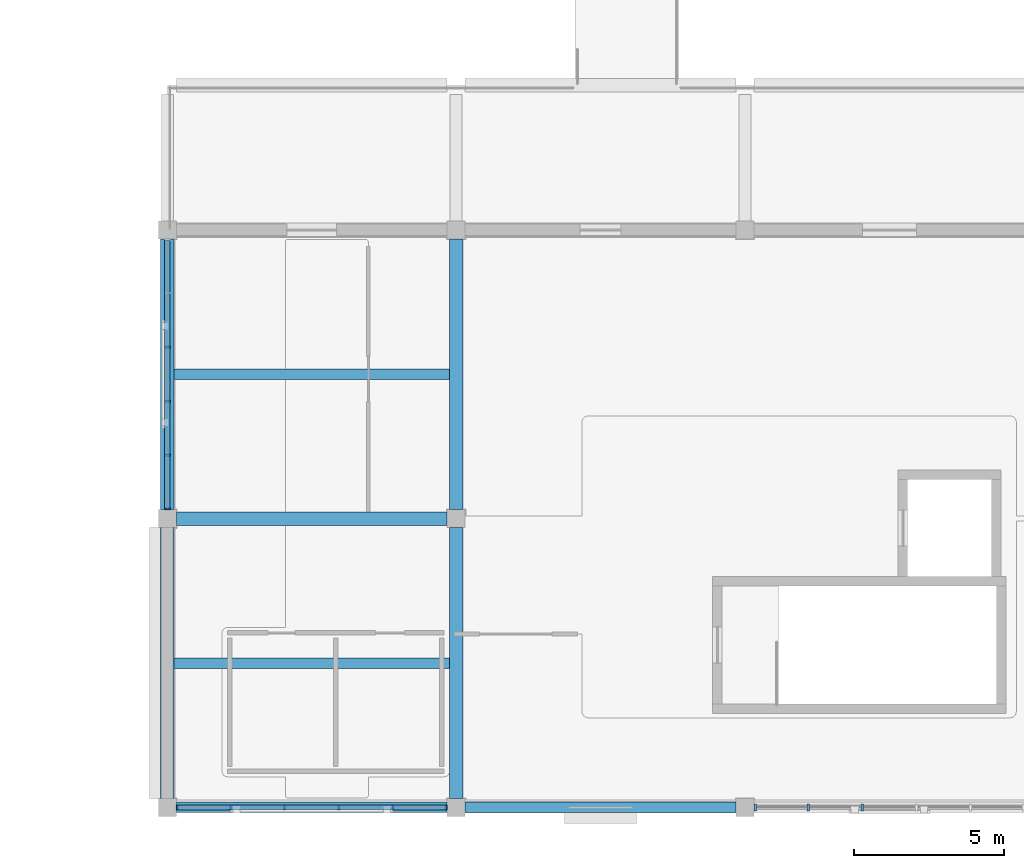
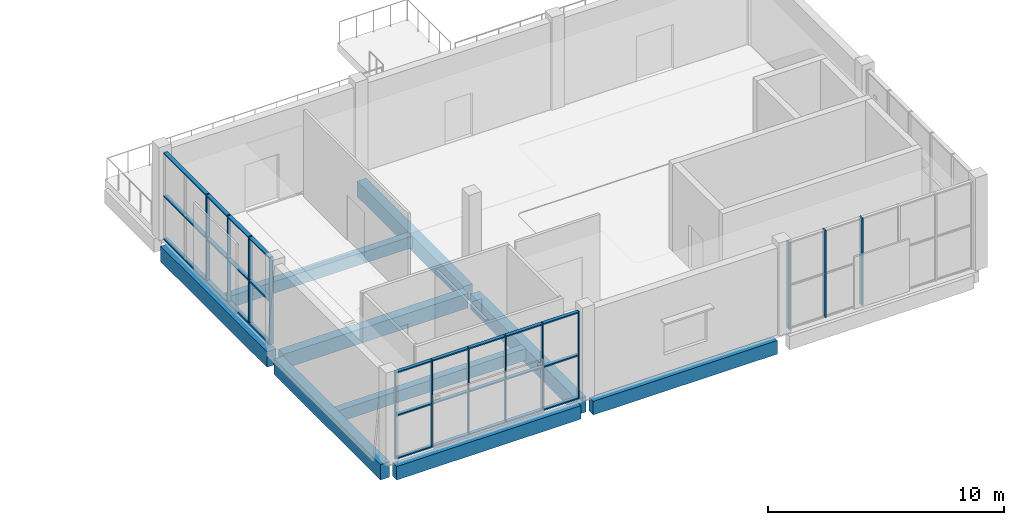
# One storey, part 2 of 37: 19 members, 9 beams, 3 elements without a shape of their own.
"""IFC4 building model written with IfcOpenShell, lengths in metres."""

from ifc_helpers import new_model, si_unit, direction, frame, origin, origin_2d, place, context, subcontext, project, spatial, rectangle, extrude, material, material_profile, profile_set, type_object, element, aggregate, save


model = new_model("IFC4")

# Units and contexts
model_context = context("Model", 3, precision=1e-05, world=origin(), true_north=direction((0.0, 1.0)))
body_context = subcontext(model_context, "Body", "Model", "MODEL_VIEW")
ifc_project = project(units=[si_unit("LENGTHUNIT", "METRE"), si_unit("AREAUNIT", "SQUARE_METRE"), si_unit("VOLUMEUNIT", "CUBIC_METRE"), si_unit("PLANEANGLEUNIT", "RADIAN"), si_unit("MASSUNIT", "GRAM", prefix="KILO")], contexts=[model_context])

# Site, building, storey
site_placement = place(None, origin())
site = spatial("IfcSite", under=ifc_project, at=site_placement, CompositionType="ELEMENT")
building_placement = place(site_placement, origin())
building = spatial("IfcBuilding", under=site, at=building_placement, Name="Shalvenor Court Art Gallery", CompositionType="ELEMENT")
storey_placement = place(building_placement, frame((0.0, 0.0, 22.199951171875)))
storey = spatial("IfcBuildingStorey", under=building, at=storey_placement, Name="L04", CompositionType="ELEMENT", Elevation=22.199951171875)

# Beams
ifc_material_1 = material(Name="Concrete C40/50", Category="concrete")
ifc_material_profile_1 = material_profile(ifc_material_1, rectangle(XDim=0.449951171875, YDim=0.800048828125, at=origin_2d()), Name="RC 450x800")
ifc_profile_set_1 = profile_set([ifc_material_profile_1], Name="Concrete C40/50")
beam_type_1 = type_object("IfcBeamType", Name="B-03", PredefinedType="BEAM", material=ifc_profile_set_1)
for number, where, z_axis, x_axis, name in (
    (1, (96.0, 0.300048828125, -0.699951171875), (0.0, 1.0, 0.0), (-1.0, 0.0, 0.0), "L04 Girder BM-L04-B-03-1168"),
    (2, (96.0, 9.89990234375, -0.699951171875), (0.0, 1.0, 0.0), (-1.0, 0.0, 0.0), "L04 Girder BM-L04-B-03-1169"),
    (3, (105.60009765625, 0.300048828125, -0.699951171875), (0.0, 1.0, 0.0), (-1.0, 0.0, 0.0), "L04 Girder BM-L04-B-03-1171"),
    (4, (105.60009765625, 9.89990234375, -0.699951171875), (0.0, 1.0, 0.0), (-1.0, 0.0, 0.0), "L04 Girder BM-L04-B-03-1172"),
):
    element("IfcBeam", number, at=place(storey_placement, frame(where, z_axis=z_axis, x_axis=x_axis)), inside=storey, type_object=beam_type_1, Name=name, PredefinedType="BEAM", context=body_context, shape_type="SweptSolid", body=[
        extrude(rectangle(XDim=0.449951171875, YDim=0.800048828125, at=origin_2d()), origin(), (0.0, 0.0, 1.0), 9.0),
    ])
ifc_material_2 = material(Name="Concrete C40/50", Category="concrete")
ifc_material_profile_2 = material_profile(ifc_material_2, rectangle(XDim=0.449951171875, YDim=0.75, at=origin_2d()), Name="RC 450x750")
ifc_profile_set_2 = profile_set([ifc_material_profile_2], Name="Concrete C40/50")
beam_type_2 = type_object("IfcBeamType", Name="B-04", PredefinedType="BEAM", material=ifc_profile_set_2)
beam_placement = place(storey_placement, frame((96.300048828125, 9.60009765625, -0.675048828125), z_axis=(1.0, 0.0, 0.0), x_axis=(0.0, 1.0, 0.0)))
element("IfcBeam", 5, at=beam_placement, inside=storey, type_object=beam_type_2, Name="L04 Girder BM-L04-B-04-1208", PredefinedType="BEAM", context=body_context, shape_type="SweptSolid", body=[
    extrude(rectangle(XDim=0.449951171875, YDim=0.75, at=origin_2d()), origin(), (0.0, 0.0, 1.0), 9.0),
])

# Curtain wall, members
ifc_material_3 = material(Name="Anodised aluminium and low-iron glass curtain wall", Category="aluminium")
curtain_wall_type_1 = type_object("IfcCurtainWallType", Name="CW-5x2-90-45-142", PredefinedType="USERDEFINED", material=ifc_material_3)
curtain_wall_1_placement = place(storey_placement, origin())
curtain_wall_1 = element("IfcCurtainWall", 6, at=curtain_wall_1_placement, inside=storey, type_object=curtain_wall_type_1, Name="L04 V3 Curtain Wall CW-L04-116", ObjectType="CURTAIN WALL", PredefinedType="USERDEFINED")
ifc_material_4 = material(Name="Anodised aluminium mullion", Category="aluminium")
ifc_material_profile_3 = material_profile(ifc_material_4, rectangle(XDim=0.06494140625, YDim=0.179931640625, at=origin_2d()), Name="CWM-01")
ifc_profile_set_3 = profile_set([ifc_material_profile_3], Name="Anodised aluminium mullion")
member_type_1 = type_object("IfcMemberType", Name="CWM-01", PredefinedType="MULLION", material=ifc_profile_set_3)
member_1_placement = place(storey_placement, frame((96.0, 9.9326171875, 0.0), z_axis=(0.0, 0.0, 1.0), x_axis=(0.0, 1.0, 0.0)))
member_1 = element("IfcMember", 7, at=member_1_placement, type_object=member_type_1, Name="CW-5x2-90-45-142 mullion 1", PredefinedType="MULLION", context=body_context, shape_type="SweptSolid", body=[
    extrude(rectangle(XDim=0.06494140625, YDim=0.179931640625, at=origin_2d()), origin(), (0.0, 0.0, 1.0), 4.5),
])
member_2_placement = place(storey_placement, frame((96.0, 11.699951171875, 0.0), z_axis=(0.0, 0.0, 1.0), x_axis=(0.0, 1.0, 0.0)))
member_2 = element("IfcMember", 8, at=member_2_placement, type_object=member_type_1, Name="CW-5x2-90-45-142 mullion 2", PredefinedType="MULLION", context=body_context, shape_type="SweptSolid", body=[
    extrude(rectangle(XDim=0.06494140625, YDim=0.179931640625, at=origin_2d()), origin(), (0.0, 0.0, 1.0), 4.5),
])
member_3_placement = place(storey_placement, frame((96.0, 13.5, 0.0), z_axis=(0.0, 0.0, 1.0), x_axis=(0.0, 1.0, 0.0)))
member_3 = element("IfcMember", 9, at=member_3_placement, type_object=member_type_1, Name="CW-5x2-90-45-142 mullion 3", PredefinedType="MULLION", context=body_context, shape_type="SweptSolid", body=[
    extrude(rectangle(XDim=0.06494140625, YDim=0.179931640625, at=origin_2d()), origin(), (0.0, 0.0, 1.0), 4.5),
])
member_4_placement = place(storey_placement, frame((96.0, 15.300048828125, 0.0), z_axis=(0.0, 0.0, 1.0), x_axis=(0.0, 1.0, 0.0)))
member_4 = element("IfcMember", 10, at=member_4_placement, type_object=member_type_1, Name="CW-5x2-90-45-142 mullion 4", PredefinedType="MULLION", context=body_context, shape_type="SweptSolid", body=[
    extrude(rectangle(XDim=0.06494140625, YDim=0.179931640625, at=origin_2d()), origin(), (0.0, 0.0, 1.0), 4.5),
])

ifc_material_5 = material(Name="Anodised aluminium and low-iron glass curtain wall", Category="aluminium")
curtain_wall_type_2 = type_object("IfcCurtainWallType", Name="CW-5x2-90-45-412", PredefinedType="USERDEFINED", material=ifc_material_5)
curtain_wall_2_placement = place(storey_placement, origin())
curtain_wall_2 = element("IfcCurtainWall", 11, at=curtain_wall_2_placement, inside=storey, type_object=curtain_wall_type_2, Name="L04 V3 Curtain Wall CW-L04-114", ObjectType="CURTAIN WALL", PredefinedType="USERDEFINED")
ifc_material_6 = material(Name="Anodised aluminium mullion", Category="aluminium")
ifc_material_profile_4 = material_profile(ifc_material_6, rectangle(XDim=0.074951171875, YDim=0.219970703125, at=origin_2d()), Name="CWM-04")
ifc_profile_set_4 = profile_set([ifc_material_profile_4], Name="Anodised aluminium mullion")
member_type_2 = type_object("IfcMemberType", Name="CWM-04", PredefinedType="MULLION", material=ifc_profile_set_4)
member_5_placement = place(storey_placement, frame((119.10009765625, 0.0, 0.0), z_axis=(0.0, 0.0, 1.0), x_axis=(-1.0, 0.0, 0.0)))
member_5 = element("IfcMember", 12, at=member_5_placement, type_object=member_type_2, Name="CW-5x2-90-45-412 mullion 4", PredefinedType="MULLION", context=body_context, shape_type="SweptSolid", body=[
    extrude(rectangle(XDim=0.074951171875, YDim=0.219970703125, at=origin_2d()), origin(), (0.0, 0.0, 1.0), 4.5),
])
member_6_placement = place(storey_placement, frame((117.300048828125, 0.0, 0.0), z_axis=(0.0, 0.0, 1.0), x_axis=(-1.0, 0.0, 0.0)))
member_6 = element("IfcMember", 13, at=member_6_placement, type_object=member_type_2, Name="CW-5x2-90-45-412 mullion 5", PredefinedType="MULLION", context=body_context, shape_type="SweptSolid", body=[
    extrude(rectangle(XDim=0.074951171875, YDim=0.219970703125, at=origin_2d()), origin(), (0.0, 0.0, 1.0), 4.5),
])
member_7_placement = place(storey_placement, frame((115.53759765625, 0.0, 0.0), z_axis=(0.0, 0.0, 1.0), x_axis=(-1.0, 0.0, 0.0)))
member_7 = element("IfcMember", 14, at=member_7_placement, type_object=member_type_2, Name="CW-5x2-90-45-412 mullion 6", PredefinedType="MULLION", context=body_context, shape_type="SweptSolid", body=[
    extrude(rectangle(XDim=0.074951171875, YDim=0.219970703125, at=origin_2d()), origin(), (0.0, 0.0, 1.0), 4.5),
])
aggregate(curtain_wall_2, [member_5, member_6, member_7])

ifc_material_7 = material(Name="Anodised aluminium and low-iron glass curtain wall", Category="aluminium")
curtain_wall_type_3 = type_object("IfcCurtainWallType", Name="CW-5x2-90-45-622", PredefinedType="USERDEFINED", material=ifc_material_7)
curtain_wall_3_placement = place(storey_placement, origin())
curtain_wall_3 = element("IfcCurtainWall", 15, at=curtain_wall_3_placement, inside=storey, type_object=curtain_wall_type_3, Name="L04 V3 Curtain Wall CW-L04-115", ObjectType="CURTAIN WALL", PredefinedType="USERDEFINED")
ifc_material_8 = material(Name="Anodised aluminium mullion", Category="aluminium")
ifc_material_profile_5 = material_profile(ifc_material_8, rectangle(XDim=0.054931640625, YDim=0.139892578125, at=origin_2d()), Name="CWM-06")
ifc_profile_set_5 = profile_set([ifc_material_profile_5], Name="Anodised aluminium mullion")
member_type_3 = type_object("IfcMemberType", Name="CWM-06", PredefinedType="MULLION", material=ifc_profile_set_5)
member_8_placement = place(storey_placement, frame((105.2724609375, 0.0, 0.0), z_axis=(0.0, 0.0, 1.0), x_axis=(-1.0, 0.0, 0.0)))
member_8 = element("IfcMember", 16, at=member_8_placement, type_object=member_type_3, Name="CW-5x2-90-45-622 mullion 1", PredefinedType="MULLION", context=body_context, shape_type="SweptSolid", body=[
    extrude(rectangle(XDim=0.054931640625, YDim=0.139892578125, at=origin_2d()), origin(), (0.0, 0.0, 1.0), 4.5),
])
member_9_placement = place(storey_placement, frame((103.5, 0.0, 0.0), z_axis=(0.0, 0.0, 1.0), x_axis=(-1.0, 0.0, 0.0)))
member_9 = element("IfcMember", 17, at=member_9_placement, type_object=member_type_3, Name="CW-5x2-90-45-622 mullion 2", PredefinedType="MULLION", context=body_context, shape_type="SweptSolid", body=[
    extrude(rectangle(XDim=0.054931640625, YDim=0.139892578125, at=origin_2d()), origin(), (0.0, 0.0, 1.0), 4.5),
])
member_10_placement = place(storey_placement, frame((101.699951171875, 0.0, 0.0), z_axis=(0.0, 0.0, 1.0), x_axis=(-1.0, 0.0, 0.0)))
member_10 = element("IfcMember", 18, at=member_10_placement, type_object=member_type_3, Name="CW-5x2-90-45-622 mullion 3", PredefinedType="MULLION", context=body_context, shape_type="SweptSolid", body=[
    extrude(rectangle(XDim=0.054931640625, YDim=0.139892578125, at=origin_2d()), origin(), (0.0, 0.0, 1.0), 4.5),
])
member_11_placement = place(storey_placement, frame((99.89990234375, 0.0, 0.0), z_axis=(0.0, 0.0, 1.0), x_axis=(-1.0, 0.0, 0.0)))
member_11 = element("IfcMember", 19, at=member_11_placement, type_object=member_type_3, Name="CW-5x2-90-45-622 mullion 4", PredefinedType="MULLION", context=body_context, shape_type="SweptSolid", body=[
    extrude(rectangle(XDim=0.054931640625, YDim=0.139892578125, at=origin_2d()), origin(), (0.0, 0.0, 1.0), 4.5),
])
member_12_placement = place(storey_placement, frame((98.10009765625, 0.0, 0.0), z_axis=(0.0, 0.0, 1.0), x_axis=(-1.0, 0.0, 0.0)))
member_12 = element("IfcMember", 20, at=member_12_placement, type_object=member_type_3, Name="CW-5x2-90-45-622 mullion 5", PredefinedType="MULLION", context=body_context, shape_type="SweptSolid", body=[
    extrude(rectangle(XDim=0.054931640625, YDim=0.139892578125, at=origin_2d()), origin(), (0.0, 0.0, 1.0), 4.5),
])
member_13_placement = place(storey_placement, frame((96.327392578125, 0.0, 0.0), z_axis=(0.0, 0.0, 1.0), x_axis=(-1.0, 0.0, 0.0)))
member_13 = element("IfcMember", 21, at=member_13_placement, type_object=member_type_3, Name="CW-5x2-90-45-622 mullion 6", PredefinedType="MULLION", context=body_context, shape_type="SweptSolid", body=[
    extrude(rectangle(XDim=0.054931640625, YDim=0.139892578125, at=origin_2d()), origin(), (0.0, 0.0, 1.0), 4.5),
])
ifc_material_9 = material(Name="Anodised aluminium transom", Category="aluminium")
ifc_material_profile_6 = material_profile(ifc_material_9, rectangle(XDim=0.169921875, YDim=0.06494140625, at=origin_2d()), Name="CWT-02")
ifc_profile_set_6 = profile_set([ifc_material_profile_6], Name="Anodised aluminium transom")
member_type_4 = type_object("IfcMemberType", Name="CWT-02", PredefinedType="USERDEFINED", material=ifc_profile_set_6)
member_14_placement = place(storey_placement, frame((105.2724609375, 0.0, 0.032470703125), z_axis=(-1.0, 0.0, 0.0), x_axis=(0.0, -1.0, 0.0)))
member_14 = element("IfcMember", 22, at=member_14_placement, type_object=member_type_4, Name="CW-5x2-90-45-622 transom 1", ObjectType="TRANSOM", PredefinedType="USERDEFINED", context=body_context, shape_type="SweptSolid", body=[
    extrude(rectangle(XDim=0.169921875, YDim=0.06494140625, at=origin_2d()), origin(), (0.0, 0.0, 1.0), 8.945068359375),
])
member_15_placement = place(storey_placement, frame((105.2724609375, 0.0, 2.25), z_axis=(-1.0, 0.0, 0.0), x_axis=(0.0, -1.0, 0.0)))
member_15 = element("IfcMember", 23, at=member_15_placement, type_object=member_type_4, Name="CW-5x2-90-45-622 transom 2", ObjectType="TRANSOM", PredefinedType="USERDEFINED", context=body_context, shape_type="SweptSolid", body=[
    extrude(rectangle(XDim=0.169921875, YDim=0.06494140625, at=origin_2d()), origin(), (0.0, 0.0, 1.0), 8.945068359375),
])
member_16_placement = place(storey_placement, frame((105.2724609375, 0.0, 4.467529296875), z_axis=(-1.0, 0.0, 0.0), x_axis=(0.0, -1.0, 0.0)))
member_16 = element("IfcMember", 24, at=member_16_placement, type_object=member_type_4, Name="CW-5x2-90-45-622 transom 3", ObjectType="TRANSOM", PredefinedType="USERDEFINED", context=body_context, shape_type="SweptSolid", body=[
    extrude(rectangle(XDim=0.169921875, YDim=0.06494140625, at=origin_2d()), origin(), (0.0, 0.0, 1.0), 8.945068359375),
])
aggregate(curtain_wall_3, [member_8, member_9, member_10, member_11, member_12, member_13, member_14, member_15, member_16])

# Member
ifc_material_10 = material(Name="Anodised aluminium transom", Category="aluminium")
ifc_material_profile_7 = material_profile(ifc_material_10, rectangle(XDim=0.18994140625, YDim=0.070068359375, at=origin_2d()), Name="CWT-04")
ifc_profile_set_7 = profile_set([ifc_material_profile_7], Name="Anodised aluminium transom")
member_type_5 = type_object("IfcMemberType", Name="CWT-04", PredefinedType="USERDEFINED", material=ifc_profile_set_7)
member_17_placement = place(storey_placement, frame((96.0, 9.9326171875, 0.03515625), z_axis=(0.0, 1.0, 0.0), x_axis=(-1.0, 0.0, 0.0)))
member_17 = element("IfcMember", 25, at=member_17_placement, type_object=member_type_5, Name="CW-5x2-90-45-142 transom 1", ObjectType="TRANSOM", PredefinedType="USERDEFINED", context=body_context, shape_type="SweptSolid", body=[
    extrude(rectangle(XDim=0.18994140625, YDim=0.070068359375, at=origin_2d()), origin(), (0.0, 0.0, 1.0), 8.934814453125),
])

member_18_placement = place(storey_placement, frame((96.0, 9.9326171875, 2.25), z_axis=(0.0, 1.0, 0.0), x_axis=(-1.0, 0.0, 0.0)))
member_18 = element("IfcMember", 26, at=member_18_placement, type_object=member_type_5, Name="CW-5x2-90-45-142 transom 2", ObjectType="TRANSOM", PredefinedType="USERDEFINED", context=body_context, shape_type="SweptSolid", body=[
    extrude(rectangle(XDim=0.18994140625, YDim=0.070068359375, at=origin_2d()), origin(), (0.0, 0.0, 1.0), 8.934814453125),
])

member_19_placement = place(storey_placement, frame((96.0, 9.9326171875, 4.465087890625), z_axis=(0.0, 1.0, 0.0), x_axis=(-1.0, 0.0, 0.0)))
member_19 = element("IfcMember", 27, at=member_19_placement, type_object=member_type_5, Name="CW-5x2-90-45-142 transom 3", ObjectType="TRANSOM", PredefinedType="USERDEFINED", context=body_context, shape_type="SweptSolid", body=[
    extrude(rectangle(XDim=0.18994140625, YDim=0.070068359375, at=origin_2d()), origin(), (0.0, 0.0, 1.0), 8.934814453125),
])

aggregate(curtain_wall_1, [member_1, member_2, member_3, member_4, member_17, member_18, member_19])

# Beams
ifc_material_11 = material(Name="Concrete C40/50", Category="concrete")
ifc_material_profile_8 = material_profile(ifc_material_11, rectangle(XDim=0.35009765625, YDim=0.60009765625, at=origin_2d()), Name="RC 350x600")
ifc_profile_set_8 = profile_set([ifc_material_profile_8], Name="Concrete C40/50")
beam_type_3 = type_object("IfcBeamType", Name="J-01", PredefinedType="JOIST", material=ifc_profile_set_8)
for number, where, z_axis, x_axis, name in (
    (28, (96.22509765625, 4.800048828125, -0.599853515625), (1.0, 0.0, 0.0), (0.0, 1.0, 0.0), "L04 Secondary Beam JST-L04-J-01-1255"),
    (29, (96.22509765625, 14.39990234375, -0.599853515625), (1.0, 0.0, 0.0), (0.0, 1.0, 0.0), "L04 Secondary Beam JST-L04-J-01-1256"),
):
    element("IfcBeam", number, at=place(storey_placement, frame(where, z_axis=z_axis, x_axis=x_axis)), inside=storey, type_object=beam_type_3, Name=name, PredefinedType="JOIST", context=body_context, shape_type="SweptSolid", body=[
        extrude(rectangle(XDim=0.35009765625, YDim=0.60009765625, at=origin_2d()), origin(), (0.0, 0.0, 1.0), 9.14990234375),
    ])
ifc_material_12 = material(Name="Concrete C40/50", Category="concrete")
ifc_material_profile_9 = material_profile(ifc_material_12, rectangle(XDim=0.35009765625, YDim=0.699951171875, at=origin_2d()), Name="RC 350x700")
ifc_profile_set_9 = profile_set([ifc_material_profile_9], Name="Concrete C40/50")
beam_type_4 = type_object("IfcBeamType", Name="SP-01", PredefinedType="SPANDREL", material=ifc_profile_set_9)
for number, where, z_axis, x_axis, name in (
    (30, (96.300048828125, 0.0, -0.64990234375), (1.0, 0.0, 0.0), (0.0, 1.0, 0.0), "L04 Spandrel Girder BM-L04-SP-01-1205"),
    (31, (105.89990234375, 0.0, -0.64990234375), (1.0, 0.0, 0.0), (0.0, 1.0, 0.0), "L04 Spandrel Girder BM-L04-SP-01-1206"),
):
    element("IfcBeam", number, at=place(storey_placement, frame(where, z_axis=z_axis, x_axis=x_axis)), inside=storey, type_object=beam_type_4, Name=name, PredefinedType="SPANDREL", context=body_context, shape_type="SweptSolid", body=[
        extrude(rectangle(XDim=0.35009765625, YDim=0.699951171875, at=origin_2d()), origin(), (0.0, 0.0, 1.0), 9.0),
    ])

save(model, "model.ifc")
